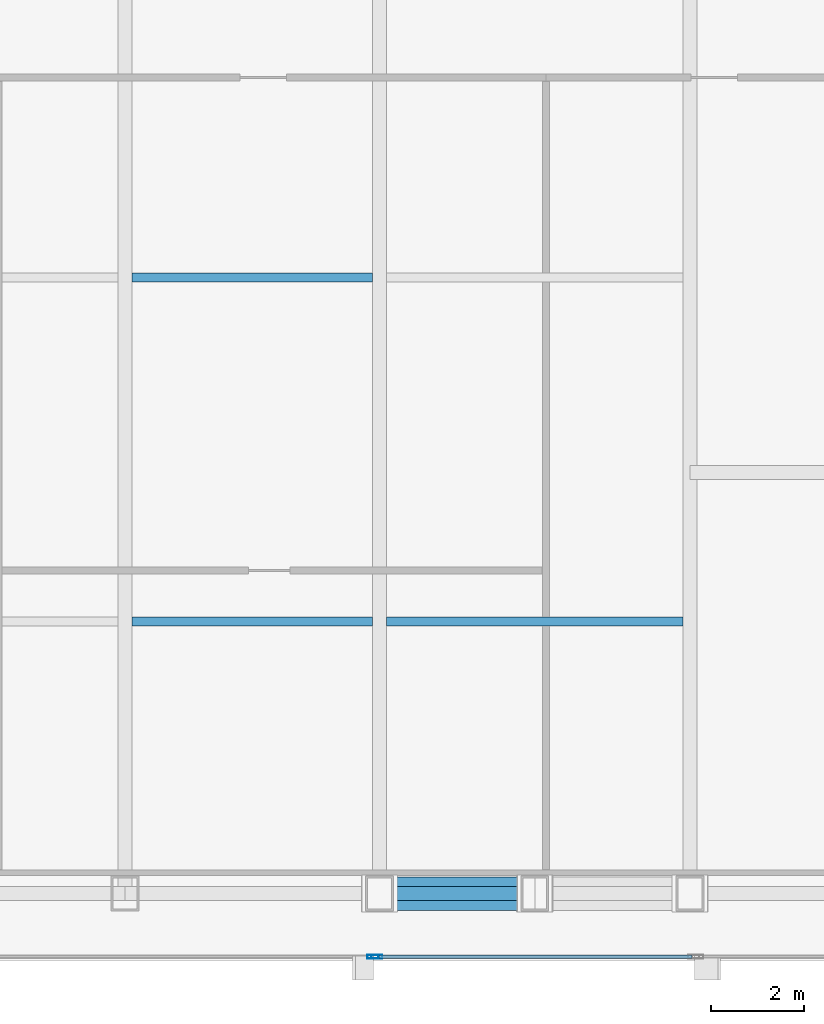
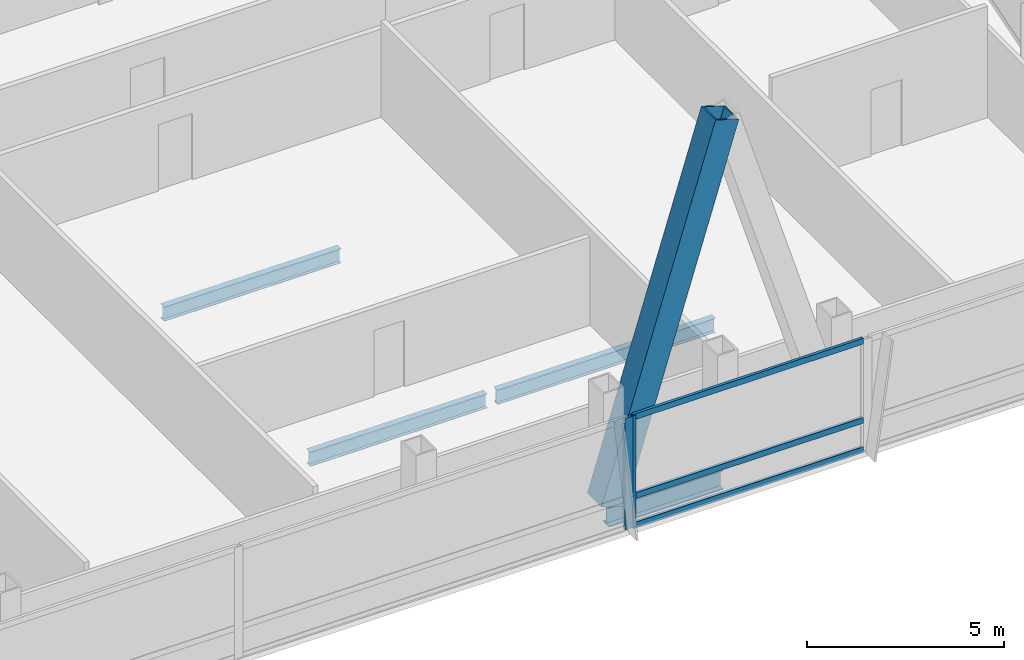
# One storey, part 13 of 33: 6 members, 4 beams, 2 elements without a shape of their own.
"""IFC4 building model written with IfcOpenShell, lengths in metres."""

from ifc_helpers import new_model, si_unit, direction, frame, origin, origin_2d, place, context, subcontext, project, spatial, hollow_rectangle, i_section, extrude, material, material_profile, profile_set, type_object, element, aggregate, save


model = new_model("IFC4")

# Units and contexts
model_context = context("Model", 3, precision=1e-05, world=origin(), true_north=direction((0.0, 1.0)))
body_context = subcontext(model_context, "Body", "Model", "MODEL_VIEW")
ifc_project = project(units=[si_unit("LENGTHUNIT", "METRE"), si_unit("AREAUNIT", "SQUARE_METRE"), si_unit("VOLUMEUNIT", "CUBIC_METRE"), si_unit("PLANEANGLEUNIT", "RADIAN"), si_unit("MASSUNIT", "GRAM", prefix="KILO")], contexts=[model_context])

# Site, building, storey
site_placement = place(None, origin())
site = spatial("IfcSite", under=ifc_project, at=site_placement, CompositionType="ELEMENT")
building_placement = place(site_placement, origin())
building = spatial("IfcBuilding", under=site, at=building_placement, Name="Khoronbel Lancet Exchange", CompositionType="ELEMENT")
storey_placement = place(building_placement, frame((0.0, 0.0, 210.199951171875)))
storey = spatial("IfcBuildingStorey", under=building, at=storey_placement, Name="L53", CompositionType="ELEMENT", Elevation=210.199951171875)

# Beams
ifc_material_1 = material(Name="Steel S355", Category="steel")
ifc_material_profile_1 = material_profile(ifc_material_1, i_section(OverallWidth=0.18994140625, OverallDepth=0.449951171875, WebThickness=0.009521484375, FlangeThickness=0.0146484375, at=origin_2d()), Name="IPE 450")
ifc_profile_set_1 = profile_set([ifc_material_profile_1], Name="Steel S355")
beam_type_1 = type_object("IfcBeamType", Name="BM-BJ4", PredefinedType="JOIST", material=ifc_profile_set_1)
beam_1_placement = place(storey_placement, frame((42.675048828125, 16.0, -0.385009765625), z_axis=(1.0, 0.0, 0.0), x_axis=(0.0, 1.0, 0.0)))
element("IfcBeam", 1, at=beam_1_placement, inside=storey, type_object=beam_type_1, Name="Level L53 secondary composite joist J04", PredefinedType="JOIST", context=body_context, shape_type="SweptSolid", body=[
    extrude(i_section(OverallWidth=0.18994140625, OverallDepth=0.449951171875, WebThickness=0.009521484375, FlangeThickness=0.0146484375, at=origin_2d()), origin(), (0.0, 0.0, 1.0), 5.175048828125),
])
beam_2_placement = place(storey_placement, frame((48.14990234375, 16.0, -0.385009765625), z_axis=(1.0, 0.0, 0.0), x_axis=(0.0, 1.0, 0.0)))
element("IfcBeam", 2, at=beam_2_placement, inside=storey, type_object=beam_type_1, Name="Level L53 secondary composite joist J05", PredefinedType="JOIST", context=body_context, shape_type="SweptSolid", body=[
    extrude(i_section(OverallWidth=0.18994140625, OverallDepth=0.449951171875, WebThickness=0.009521484375, FlangeThickness=0.0146484375, at=origin_2d()), origin(), (0.0, 0.0, 1.0), 6.375),
])
beam_3_placement = place(storey_placement, frame((42.675048828125, 23.39990234375, -0.385009765625), z_axis=(1.0, 0.0, 0.0), x_axis=(0.0, 1.0, 0.0)))
element("IfcBeam", 3, at=beam_3_placement, inside=storey, type_object=beam_type_1, Name="Level L53 secondary composite joist J09", PredefinedType="JOIST", context=body_context, shape_type="SweptSolid", body=[
    extrude(i_section(OverallWidth=0.18994140625, OverallDepth=0.449951171875, WebThickness=0.009521484375, FlangeThickness=0.0146484375, at=origin_2d()), origin(), (0.0, 0.0, 1.0), 5.175048828125),
])
ifc_material_profile_2 = material_profile(ifc_material_1, i_section(OverallWidth=0.300048828125, OverallDepth=0.60009765625, WebThickness=0.015380859375, FlangeThickness=0.030029296875, at=origin_2d()), Name="HEB 600")
ifc_profile_set_2 = profile_set([ifc_material_profile_2], Name="Steel S355")
beam_type_2 = type_object("IfcBeamType", Name="BM-BSP2", PredefinedType="SPANDREL", material=ifc_profile_set_2)
beam_4_placement = place(storey_placement, frame((48.0, 10.14990234375, -0.4599609375), z_axis=(1.0, 0.0, 0.0), x_axis=(0.0, 1.0, 0.0)))
element("IfcBeam", 4, at=beam_4_placement, inside=storey, type_object=beam_type_2, Name="Level L53 perimeter spandrel beam SP07", PredefinedType="SPANDREL", context=body_context, shape_type="SweptSolid", body=[
    extrude(i_section(OverallWidth=0.300048828125, OverallDepth=0.60009765625, WebThickness=0.015380859375, FlangeThickness=0.030029296875, at=origin_2d()), origin(), (0.0, 0.0, 1.0), 3.33740234375),
])

# Curtain wall, member
ifc_material_2 = material(Name="Low-E Solar Control Insulating Glass", Category="glass")
curtain_wall_type = type_object("IfcCurtainWallType", Name="CW-3", PredefinedType="NOTDEFINED", material=ifc_material_2)
curtain_wall_1_placement = place(storey_placement, origin())
curtain_wall_1 = element("IfcCurtainWall", 5, at=curtain_wall_1_placement, inside=storey, type_object=curtain_wall_type, Name="Unitised curtain wall CW-L53-SCV", PredefinedType="NOTDEFINED")
ifc_material_3 = material(Name="Bronze-Anodised Aluminium 6063-T6", Category="aluminium")
ifc_material_profile_3 = material_profile(ifc_material_3, hollow_rectangle(XDim=0.0849609375, YDim=0.239990234375, WallThickness=0.006103515625, at=origin_2d()), Name="ALU MULLION 85x240")
ifc_profile_set_3 = profile_set([ifc_material_profile_3], Name="Bronze-Anodised Aluminium 6063-T6")
member_type_1 = type_object("IfcMemberType", Name="MEM-CWM1", PredefinedType="MULLION", material=ifc_profile_set_3)
member_1_placement = place(storey_placement, frame((47.857421875, 8.7900390625, 0.0), z_axis=(0.0, 0.0, 1.0), x_axis=(0.0, 1.0, 0.0)))
member_1 = element("IfcMember", 6, at=member_1_placement, type_object=member_type_1, Name="CW3 mullion 3", PredefinedType="MULLION", context=body_context, shape_type="SweptSolid", body=[
    extrude(hollow_rectangle(XDim=0.0849609375, YDim=0.239990234375, WallThickness=0.006103515625, at=origin_2d()), origin(), (0.0, 0.0, 1.0), 3.43994140625),
])
aggregate(curtain_wall_1, [member_1])

# Curtain wall, members
curtain_wall_2_placement = place(storey_placement, origin())
curtain_wall_2 = element("IfcCurtainWall", 7, at=curtain_wall_2_placement, inside=storey, type_object=curtain_wall_type, Name="Unitised curtain wall CW-L53-SEB", PredefinedType="NOTDEFINED")
member_2_placement = place(storey_placement, frame((47.9423828125, 8.7900390625, 0.0), z_axis=(0.0, 0.0, 1.0), x_axis=(0.0, 1.0, 0.0)))
member_2 = element("IfcMember", 8, at=member_2_placement, type_object=member_type_1, Name="CW3 mullion 1", PredefinedType="MULLION", context=body_context, shape_type="SweptSolid", body=[
    extrude(hollow_rectangle(XDim=0.0849609375, YDim=0.239990234375, WallThickness=0.006103515625, at=origin_2d()), origin(), (0.0, 0.0, 1.0), 3.43994140625),
])
ifc_material_profile_4 = material_profile(ifc_material_3, hollow_rectangle(XDim=0.0849609375, YDim=0.179931640625, WallThickness=0.0048828125, at=origin_2d()), Name="ALU TRANSOM 85x180")
ifc_profile_set_4 = profile_set([ifc_material_profile_4], Name="Bronze-Anodised Aluminium 6063-T6")
member_type_2 = type_object("IfcMemberType", Name="MEM-CWT1", PredefinedType="USERDEFINED", material=ifc_profile_set_4)
member_3_placement = place(storey_placement, frame((47.985107421875, 8.7900390625, 0.04248046875), z_axis=(1.0, 0.0, 0.0), x_axis=(0.0, 1.0, 0.0)))
member_3 = element("IfcMember", 9, at=member_3_placement, type_object=member_type_2, Name="CW3 transom 1.1", ObjectType="TRANSOM", PredefinedType="USERDEFINED", context=body_context, shape_type="SweptSolid", body=[
    extrude(hollow_rectangle(XDim=0.0849609375, YDim=0.179931640625, WallThickness=0.0048828125, at=origin_2d()), origin(), (0.0, 0.0, 1.0), 6.72998046875),
])
member_4_placement = place(storey_placement, frame((47.985107421875, 8.7900390625, 0.949951171875), z_axis=(1.0, 0.0, 0.0), x_axis=(0.0, 1.0, 0.0)))
member_4 = element("IfcMember", 10, at=member_4_placement, type_object=member_type_2, Name="CW3 transom 1.2", ObjectType="TRANSOM", PredefinedType="USERDEFINED", context=body_context, shape_type="SweptSolid", body=[
    extrude(hollow_rectangle(XDim=0.0849609375, YDim=0.179931640625, WallThickness=0.0048828125, at=origin_2d()), origin(), (0.0, 0.0, 1.0), 6.72998046875),
])
member_5_placement = place(storey_placement, frame((47.985107421875, 8.7900390625, 3.3974609375), z_axis=(1.0, 0.0, 0.0), x_axis=(0.0, 1.0, 0.0)))
member_5 = element("IfcMember", 11, at=member_5_placement, type_object=member_type_2, Name="CW3 transom 1.3", ObjectType="TRANSOM", PredefinedType="USERDEFINED", context=body_context, shape_type="SweptSolid", body=[
    extrude(hollow_rectangle(XDim=0.0849609375, YDim=0.179931640625, WallThickness=0.0048828125, at=origin_2d()), origin(), (0.0, 0.0, 1.0), 6.72998046875),
])
aggregate(curtain_wall_2, [member_2, member_3, member_4, member_5])

# Member
ifc_material_4 = material(Name="Steel S460", Category="steel")
ifc_material_profile_5 = material_profile(ifc_material_4, hollow_rectangle(XDim=0.719970703125, YDim=0.719970703125, WallThickness=0.050048828125, at=origin_2d()), Name="BOX 720x720x50")
ifc_profile_set_5 = profile_set([ifc_material_profile_5], Name="Steel S460")
member_type_3 = type_object("IfcMemberType", Name="MEM-MB2", PredefinedType="BRACE", material=ifc_profile_set_5)
member_6_placement = place(storey_placement, frame((48.0, 10.14990234375, 0.0), z_axis=(0.295242108906, 0.0, 0.955422470496), x_axis=(0.0, 1.0, 0.0)))
element("IfcMember", 12, at=member_6_placement, inside=storey, type_object=member_type_3, Name="Perimeter lancet brace tier 18 S-E-L", PredefinedType="BRACE", context=body_context, shape_type="SweptSolid", body=[
    extrude(hollow_rectangle(XDim=0.719970703125, YDim=0.719970703125, WallThickness=0.050048828125, at=origin_2d()), origin(), (0.0, 0.0, 1.0), 11.303955078125),
])

save(model, "model.ifc")
